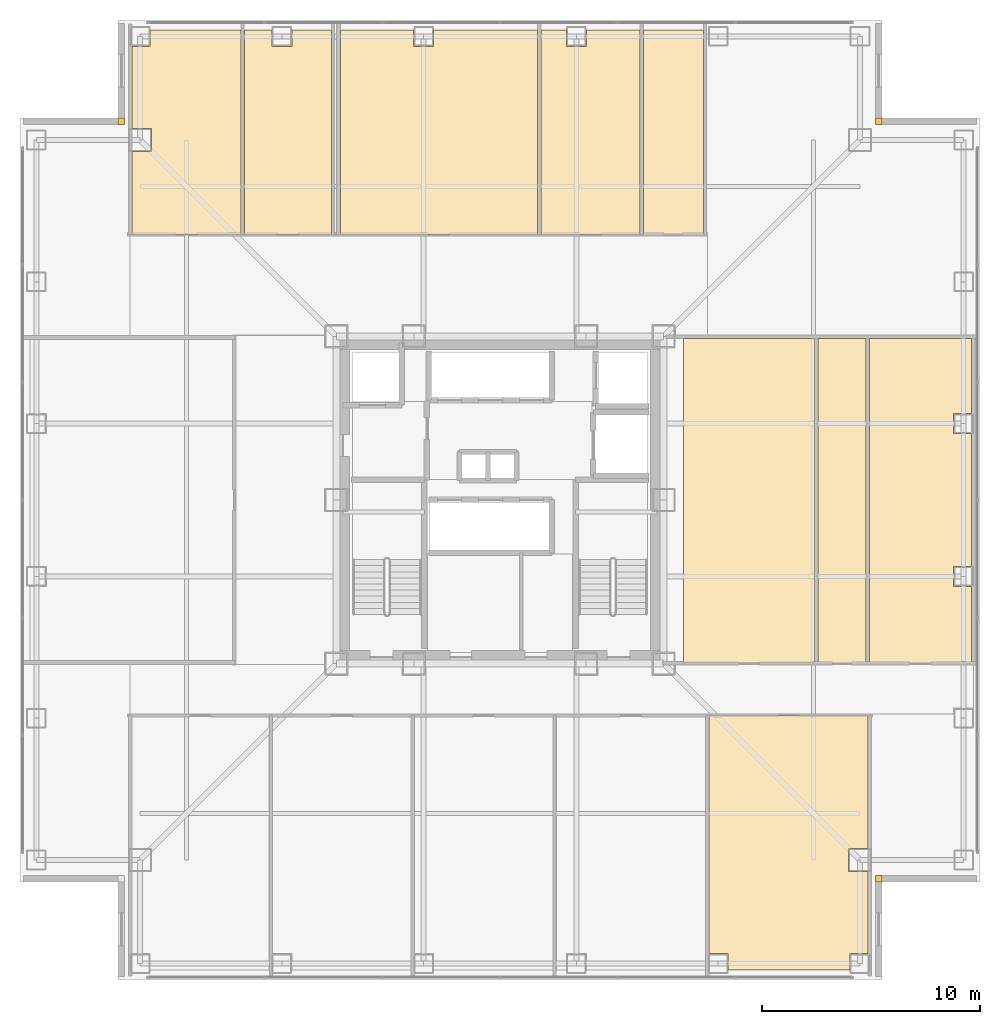
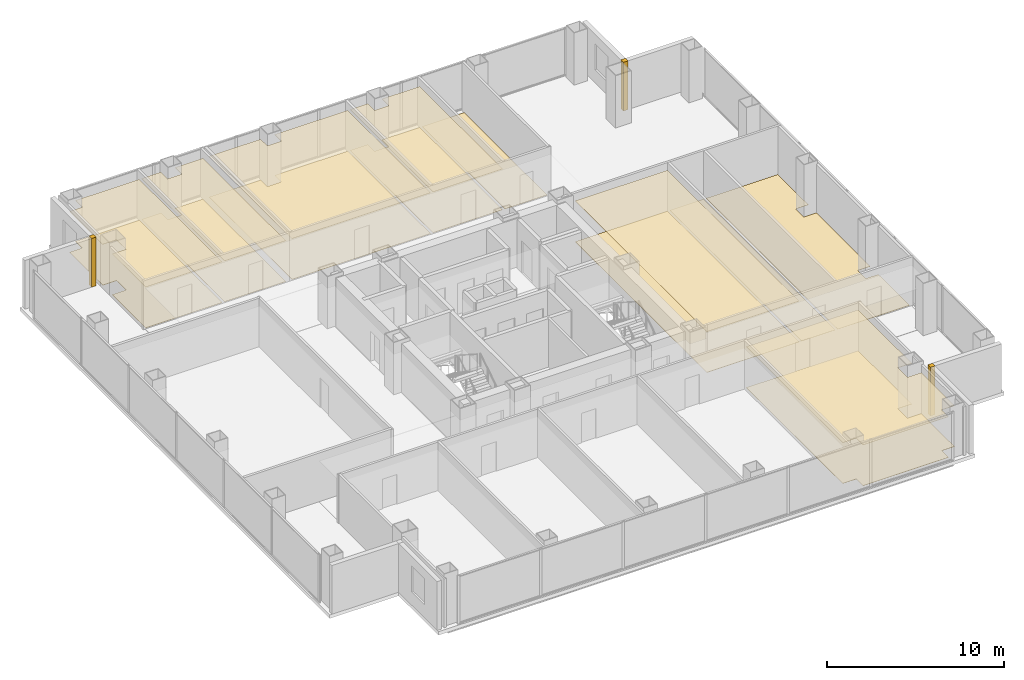
# One storey, part 17 of 17: 18 coverings.
"""IFC4 building model written with IfcOpenShell, lengths in metres."""

from ifc_helpers import new_model, si_unit, direction, frame, origin, place, context, subcontext, project, spatial, polyline, outline, extrude, material, layer, layer_set, type_object, element, save


model = new_model("IFC4")

# Units and contexts
model_context = context("Model", 3, precision=1e-05, world=origin(), true_north=direction((0.0, 1.0)))
body_context = subcontext(model_context, "Body", "Model", "MODEL_VIEW")
ifc_project = project(units=[si_unit("LENGTHUNIT", "METRE"), si_unit("AREAUNIT", "SQUARE_METRE"), si_unit("VOLUMEUNIT", "CUBIC_METRE"), si_unit("PLANEANGLEUNIT", "RADIAN"), si_unit("MASSUNIT", "GRAM", prefix="KILO")], contexts=[model_context])

# Site, building, storey
site_placement = place(None, origin())
site = spatial("IfcSite", under=ifc_project, at=site_placement, CompositionType="ELEMENT")
building_placement = place(site_placement, origin())
building = spatial("IfcBuilding", under=site, at=building_placement, Name="Trevonay Congress Spire", CompositionType="ELEMENT")
storey_placement = place(building_placement, frame((0.0, 0.0, 108.39990234375)))
storey = spatial("IfcBuildingStorey", under=building, at=storey_placement, Name="L27", CompositionType="ELEMENT", Elevation=108.39990234375)

# Coverings
ifc_material_1 = material(Name="Acoustic Mineral Fibre Board", Category="gypsum")
ifc_layer_1 = layer(ifc_material_1, 0.02490234375, Name="Acoustic Mineral Fibre Board")
ifc_layer_set_1 = layer_set([ifc_layer_1], Name="Acoustic Mineral Fibre Board")
covering_type_1 = type_object("IfcCoveringType", Name="COV-CEIL-ACOUSTIC", PredefinedType="CEILING", material=ifc_layer_set_1)
covering_1_placement = place(storey_placement, frame((0.0, 0.0, 2.81005859375)))
element("IfcCovering", 1, at=covering_1_placement, inside=storey, type_object=covering_type_1, Name="L27 Directorate Corner Office acoustic suspended ceiling", PredefinedType="CEILING", context=body_context, shape_type="SweptSolid", body=[
    extrude(outline(polyline([(10.4599609375, -21.550048828125), (10.4599609375, -20.7900390625), (9.580078125, -20.7900390625), (9.580078125, -9.8798828125), (16.8701171875, -9.8798828125), (16.8701171875, -15.965087890625), (15.965087890625, -15.965087890625), (15.965087890625, -17.034912109375), (16.8701171875, -17.034912109375), (16.8701171875, -20.7900390625), (16.0400390625, -20.7900390625), (16.0400390625, -21.550048828125), (10.4599609375, -21.550048828125)])), origin(), (0.0, 0.0, 1.0), 0.025146484375),
])
covering_2_placement = place(storey_placement, frame((0.0, 0.0, 2.81005859375)))
element("IfcCovering", 2, at=covering_2_placement, inside=storey, type_object=covering_type_1, Name="L27 Archive Registry Office acoustic suspended ceiling", PredefinedType="CEILING", context=body_context, shape_type="SweptSolid", body=[
    extrude(outline(polyline([(-11.8798828125, 21.550048828125), (-11.8798828125, 12.179931640625), (-16.8701171875, 12.179931640625), (-16.8701171875, 15.965087890625), (-15.965087890625, 15.965087890625), (-15.965087890625, 17.034912109375), (-16.8701171875, 17.034912109375), (-16.8701171875, 20.7900390625), (-16.0400390625, 20.7900390625), (-16.0400390625, 21.550048828125), (-11.8798828125, 21.550048828125)])), origin(), (0.0, 0.0, 1.0), 0.025146484375),
])
covering_3_placement = place(storey_placement, frame((0.0, 0.0, 2.81005859375)))
element("IfcCovering", 3, at=covering_3_placement, inside=storey, type_object=covering_type_1, Name="L27 Staff Coffee Kitchen acoustic suspended ceiling", PredefinedType="CEILING", context=body_context, shape_type="SweptSolid", body=[
    extrude(outline(polyline([(-7.72998046875, 21.550048828125), (-7.72998046875, 12.179931640625), (-11.719970703125, 12.179931640625), (-11.719970703125, 21.550048828125), (-10.4599609375, 21.550048828125), (-10.4599609375, 20.7900390625), (-9.5400390625, 20.7900390625), (-9.5400390625, 21.550048828125), (-7.72998046875, 21.550048828125)])), origin(), (0.0, 0.0, 1.0), 0.025146484375),
])
covering_4_placement = place(storey_placement, frame((0.0, 0.0, 2.81005859375)))
element("IfcCovering", 4, at=covering_4_placement, inside=storey, type_object=covering_type_1, Name="L27 North-East Policy Analysts Office acoustic suspended ceiling", PredefinedType="CEILING", context=body_context, shape_type="SweptSolid", body=[
    extrude(outline(polyline([(1.719970703125, 21.550048828125), (1.719970703125, 12.179931640625), (-7.320068359375, 12.179931640625), (-7.320068359375, 21.550048828125), (-3.9599609375, 21.550048828125), (-3.9599609375, 20.7900390625), (-3.0400390625, 20.7900390625), (-3.0400390625, 21.550048828125), (1.719970703125, 21.550048828125)])), origin(), (0.0, 0.0, 1.0), 0.025146484375),
])
covering_5_placement = place(storey_placement, frame((0.0, 0.0, 2.81005859375)))
element("IfcCovering", 5, at=covering_5_placement, inside=storey, type_object=covering_type_1, Name="L27 Project Review Room acoustic suspended ceiling", PredefinedType="CEILING", context=body_context, shape_type="SweptSolid", body=[
    extrude(outline(polyline([(6.419921875, 21.550048828125), (6.419921875, 12.179931640625), (1.8798828125, 12.179931640625), (1.8798828125, 21.550048828125), (3.0400390625, 21.550048828125), (3.0400390625, 20.7900390625), (3.9599609375, 20.7900390625), (3.9599609375, 21.550048828125), (6.419921875, 21.550048828125)])), origin(), (0.0, 0.0, 1.0), 0.025146484375),
])
covering_6_placement = place(storey_placement, frame((0.0, 0.0, 2.81005859375)))
element("IfcCovering", 6, at=covering_6_placement, inside=storey, type_object=covering_type_1, Name="L27 East Secretariat Office acoustic suspended ceiling", PredefinedType="CEILING", context=body_context, shape_type="SweptSolid", body=[
    extrude(outline(polyline([(8.39990234375, -7.47998046875), (14.419921875, -7.47998046875), (14.419921875, 7.39990234375), (8.39990234375, 7.39990234375), (8.39990234375, -7.47998046875)])), origin(), (0.0, 0.0, 1.0), 0.025146484375),
])
ifc_material_2 = material(Name="Polished Granite Floor Tile", Category="masonry")
ifc_layer_2 = layer(ifc_material_2, 0.02001953125, Name="Polished Granite Floor Tile")
ifc_layer_set_2 = layer_set([ifc_layer_2], Name="Polished Granite Floor Tile")
covering_type_2 = type_object("IfcCoveringType", Name="COV-FLOOR-STONE", PredefinedType="FLOORING", material=ifc_layer_set_2)
covering_7_placement = place(storey_placement, origin())
element("IfcCovering", 7, at=covering_7_placement, inside=storey, type_object=covering_type_2, Name="L27 Staff Coffee Kitchen floor finish", PredefinedType="FLOORING", context=body_context, shape_type="SweptSolid", body=[
    extrude(outline(polyline([(-7.72998046875, 21.550048828125), (-7.72998046875, 12.179931640625), (-11.719970703125, 12.179931640625), (-11.719970703125, 21.550048828125), (-10.4599609375, 21.550048828125), (-10.4599609375, 20.7900390625), (-9.5400390625, 20.7900390625), (-9.5400390625, 21.550048828125), (-7.72998046875, 21.550048828125)])), origin(), (0.0, 0.0, 1.0), 0.02001953125),
])
covering_8_placement = place(storey_placement, origin())
element("IfcCovering", 8, at=covering_8_placement, inside=storey, type_object=covering_type_2, Name="L27 Female Restroom WC floor finish", PredefinedType="FLOORING", context=body_context, shape_type="SweptSolid", body=[
    extrude(outline(polyline([(6.580078125, 12.179931640625), (9.320068359375, 12.179931640625), (9.320068359375, 21.550048828125), (6.580078125, 21.550048828125), (6.580078125, 12.179931640625)])), origin(), (0.0, 0.0, 1.0), 0.02001953125),
])
covering_9_placement = place(storey_placement, origin())
element("IfcCovering", 9, at=covering_9_placement, inside=storey, type_object=covering_type_2, Name="L27 Male Restroom WC floor finish", PredefinedType="FLOORING", context=body_context, shape_type="SweptSolid", body=[
    extrude(outline(polyline([(14.580078125, -7.47998046875), (16.77001953125, -7.47998046875), (16.77001953125, 7.39990234375), (14.580078125, 7.39990234375), (14.580078125, -7.47998046875)])), origin(), (0.0, 0.0, 1.0), 0.02001953125),
])
covering_10_placement = place(storey_placement, origin())
element("IfcCovering", 10, at=covering_10_placement, inside=storey, type_object=covering_type_2, Name="L27 Floor Supplies and Copy Room floor finish", PredefinedType="FLOORING", context=body_context, shape_type="SweptSolid", body=[
    extrude(outline(polyline([(21.6201171875, -7.47998046875), (16.929931640625, -7.47998046875), (16.929931640625, 7.39990234375), (21.6201171875, 7.39990234375), (21.6201171875, 3.9599609375), (20.7900390625, 3.9599609375), (20.7900390625, 3.0400390625), (21.6201171875, 3.0400390625), (21.6201171875, -3.0400390625), (20.7900390625, -3.0400390625), (20.7900390625, -3.9599609375), (21.6201171875, -3.9599609375), (21.6201171875, -7.47998046875)])), origin(), (0.0, 0.0, 1.0), 0.02001953125),
])
ifc_material_3 = material(Name="Engineered Oak Flooring", Category="wood")
ifc_layer_3 = layer(ifc_material_3, 0.01806640625, Name="Engineered Oak Flooring")
ifc_layer_set_3 = layer_set([ifc_layer_3], Name="Engineered Oak Flooring")
covering_type_3 = type_object("IfcCoveringType", Name="COV-FLOOR-TIMBER", PredefinedType="FLOORING", material=ifc_layer_set_3)
covering_11_placement = place(storey_placement, origin())
element("IfcCovering", 11, at=covering_11_placement, inside=storey, type_object=covering_type_3, Name="L27 Directorate Corner Office floor finish", PredefinedType="FLOORING", context=body_context, shape_type="SweptSolid", body=[
    extrude(outline(polyline([(10.4599609375, -21.550048828125), (10.4599609375, -20.7900390625), (9.580078125, -20.7900390625), (9.580078125, -9.8798828125), (16.8701171875, -9.8798828125), (16.8701171875, -15.965087890625), (15.965087890625, -15.965087890625), (15.965087890625, -17.034912109375), (16.8701171875, -17.034912109375), (16.8701171875, -20.7900390625), (16.0400390625, -20.7900390625), (16.0400390625, -21.550048828125), (10.4599609375, -21.550048828125)])), origin(), (0.0, 0.0, 1.0), 0.01806640625),
])
covering_12_placement = place(storey_placement, origin())
element("IfcCovering", 12, at=covering_12_placement, inside=storey, type_object=covering_type_3, Name="L27 Archive Registry Office floor finish", PredefinedType="FLOORING", context=body_context, shape_type="SweptSolid", body=[
    extrude(outline(polyline([(-11.8798828125, 21.550048828125), (-11.8798828125, 12.179931640625), (-16.8701171875, 12.179931640625), (-16.8701171875, 15.965087890625), (-15.965087890625, 15.965087890625), (-15.965087890625, 17.034912109375), (-16.8701171875, 17.034912109375), (-16.8701171875, 20.7900390625), (-16.0400390625, 20.7900390625), (-16.0400390625, 21.550048828125), (-11.8798828125, 21.550048828125)])), origin(), (0.0, 0.0, 1.0), 0.01806640625),
])
covering_13_placement = place(storey_placement, origin())
element("IfcCovering", 13, at=covering_13_placement, inside=storey, type_object=covering_type_3, Name="L27 North-East Policy Analysts Office floor finish", PredefinedType="FLOORING", context=body_context, shape_type="SweptSolid", body=[
    extrude(outline(polyline([(1.719970703125, 21.550048828125), (1.719970703125, 12.179931640625), (-7.320068359375, 12.179931640625), (-7.320068359375, 21.550048828125), (-3.9599609375, 21.550048828125), (-3.9599609375, 20.7900390625), (-3.0400390625, 20.7900390625), (-3.0400390625, 21.550048828125), (1.719970703125, 21.550048828125)])), origin(), (0.0, 0.0, 1.0), 0.01806640625),
])
covering_14_placement = place(storey_placement, origin())
element("IfcCovering", 14, at=covering_14_placement, inside=storey, type_object=covering_type_3, Name="L27 Project Review Room floor finish", PredefinedType="FLOORING", context=body_context, shape_type="SweptSolid", body=[
    extrude(outline(polyline([(6.419921875, 21.550048828125), (6.419921875, 12.179931640625), (1.8798828125, 12.179931640625), (1.8798828125, 21.550048828125), (3.0400390625, 21.550048828125), (3.0400390625, 20.7900390625), (3.9599609375, 20.7900390625), (3.9599609375, 21.550048828125), (6.419921875, 21.550048828125)])), origin(), (0.0, 0.0, 1.0), 0.01806640625),
])
covering_15_placement = place(storey_placement, origin())
element("IfcCovering", 15, at=covering_15_placement, inside=storey, type_object=covering_type_3, Name="L27 East Secretariat Office floor finish", PredefinedType="FLOORING", context=body_context, shape_type="SweptSolid", body=[
    extrude(outline(polyline([(8.39990234375, -7.47998046875), (14.419921875, -7.47998046875), (14.419921875, 7.39990234375), (8.39990234375, 7.39990234375), (8.39990234375, -7.47998046875)])), origin(), (0.0, 0.0, 1.0), 0.01806640625),
])
ifc_material_4 = material(Name="Pale Anodised Aluminium EN AW-6063-T6", Category="aluminium")
ifc_layer_4 = layer(ifc_material_4, 0.0400390625, Name="Pale Anodised Aluminium EN AW-6063-T6")
ifc_layer_set_4 = layer_set([ifc_layer_4], Name="Pale Anodised Aluminium EN AW-6063-T6")
covering_type_4 = type_object("IfcCoveringType", Name="COV-SPANDREL-PALE-METAL", PredefinedType="CLADDING", material=ifc_layer_set_4)
covering_16_placement = place(storey_placement, origin())
element("IfcCovering", 16, at=covering_16_placement, inside=storey, type_object=covering_type_4, Name="L27 SE re-entrant notch corner closure trim", PredefinedType="CLADDING", context=body_context, shape_type="SweptSolid", body=[
    extrude(outline(polyline([(17.199951171875, -17.5), (17.5, -17.5), (17.5, -17.199951171875), (17.199951171875, -17.199951171875), (17.199951171875, -17.5)])), origin(), (0.0, 0.0, 1.0), 3.360107421875),
])
covering_17_placement = place(storey_placement, origin())
element("IfcCovering", 17, at=covering_17_placement, inside=storey, type_object=covering_type_4, Name="L27 NE re-entrant notch corner closure trim", PredefinedType="CLADDING", context=body_context, shape_type="SweptSolid", body=[
    extrude(outline(polyline([(17.199951171875, 17.199951171875), (17.5, 17.199951171875), (17.5, 17.5), (17.199951171875, 17.5), (17.199951171875, 17.199951171875)])), origin(), (0.0, 0.0, 1.0), 3.360107421875),
])
covering_18_placement = place(storey_placement, origin())
element("IfcCovering", 18, at=covering_18_placement, inside=storey, type_object=covering_type_4, Name="L27 NW re-entrant notch corner closure trim", PredefinedType="CLADDING", context=body_context, shape_type="SweptSolid", body=[
    extrude(outline(polyline([(-17.5, 17.199951171875), (-17.199951171875, 17.199951171875), (-17.199951171875, 17.5), (-17.5, 17.5), (-17.5, 17.199951171875)])), origin(), (0.0, 0.0, 1.0), 3.360107421875),
])

save(model, "model.ifc")
